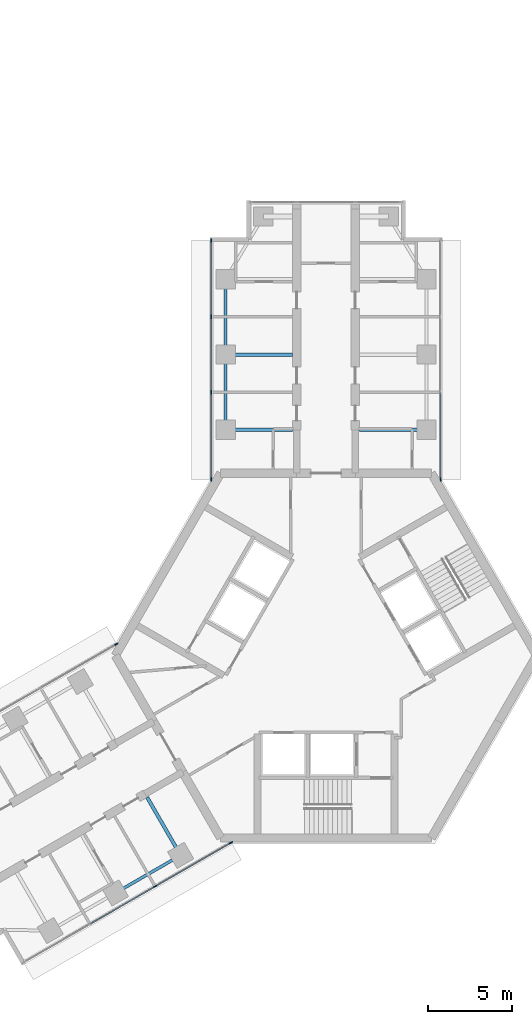
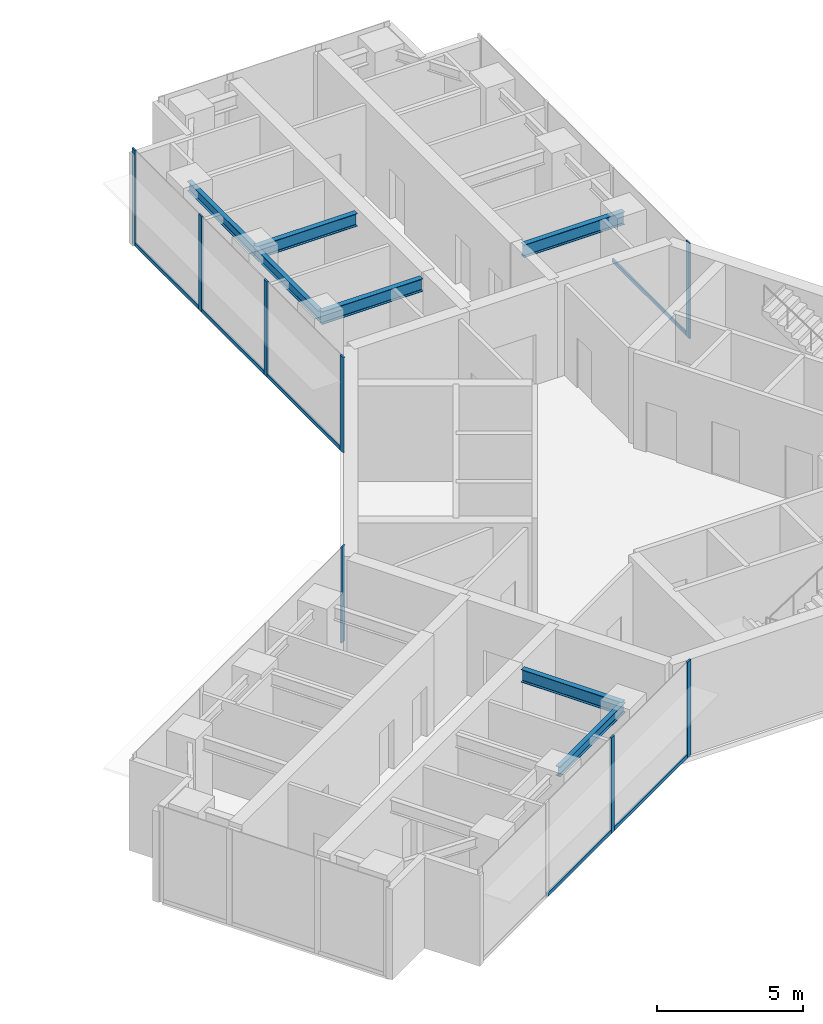
# One storey, part 8 of 17: 14 members, 7 beams, 4 elements without a shape of their own.
"""IFC4 building model written with IfcOpenShell, lengths in metres."""

from ifc_helpers import new_model, si_unit, direction, frame, origin, origin_2d, place, context, subcontext, project, spatial, rectangle, i_section, extrude, material, material_profile, profile_set, type_object, element, aggregate, save


model = new_model("IFC4")

# Units and contexts
model_context = context("Model", 3, precision=1e-05, world=origin(), true_north=direction((0.0, 1.0)))
body_context = subcontext(model_context, "Body", "Model", "MODEL_VIEW")
ifc_project = project(units=[si_unit("LENGTHUNIT", "METRE"), si_unit("AREAUNIT", "SQUARE_METRE"), si_unit("VOLUMEUNIT", "CUBIC_METRE"), si_unit("PLANEANGLEUNIT", "RADIAN"), si_unit("MASSUNIT", "GRAM", prefix="KILO")], contexts=[model_context])

# Site, building, storey
site_placement = place(None, origin())
site = spatial("IfcSite", under=ifc_project, at=site_placement, CompositionType="ELEMENT")
building_placement = place(site_placement, origin())
building = spatial("IfcBuilding", under=site, at=building_placement, Name="Upepo Twin Towers", CompositionType="ELEMENT")
storey_placement = place(building_placement, frame((0.0, 0.0, 206.5)))
storey = spatial("IfcBuildingStorey", under=building, at=storey_placement, Name="L50", CompositionType="ELEMENT", Elevation=206.5)

# Beams
ifc_material_1 = material(Name="Steel S355", Category="steel")
ifc_material_profile_1 = material_profile(ifc_material_1, i_section(OverallWidth=0.177978515625, OverallDepth=0.406494140625, WebThickness=0.0078125, FlangeThickness=0.0126953125, FilletRadius=0.01025390625, at=origin_2d()), Name="UB 406x178x60")
ifc_profile_set_1 = profile_set([ifc_material_profile_1], Name="Steel S355")
beam_type_1 = type_object("IfcBeamType", Name="Beam UB 406x178x60", PredefinedType="BEAM", material=ifc_profile_set_1)
for number, where, z_axis, x_axis, name in (
    (1, (52.5, -4.5, 3.5966796875), (0.0, 1.0, 0.0), (-1.0, 0.0, 0.0), "T2 edge beam AL 13.5-18.0"),
    (2, (52.5, 0.0, 3.5966796875), (0.0, 1.0, 0.0), (-1.0, 0.0, 0.0), "T2 edge beam AL 18.0-22.5"),
):
    element("IfcBeam", number, at=place(storey_placement, frame(where, z_axis=z_axis, x_axis=x_axis)), inside=storey, type_object=beam_type_1, Name=name, PredefinedType="BEAM", context=body_context, shape_type="SweptSolid", body=[
        extrude(i_section(OverallWidth=0.177978515625, OverallDepth=0.406494140625, WebThickness=0.0078125, FlangeThickness=0.0126953125, FilletRadius=0.01025390625, at=origin_2d()), origin(), (0.0, 0.0, 1.0), 4.5),
    ])
beam_placement = place(storey_placement, frame((49.80859375, -29.946044921875, 3.5966796875), z_axis=(-0.866017533419, -0.500013631625, 0.0), x_axis=(0.500013631625, -0.866017533419, 0.0)))
element("IfcBeam", 3, at=beam_placement, inside=storey, type_object=beam_type_1, Name="T2 edge beam BL 13.5-18.0", PredefinedType="BEAM", context=body_context, shape_type="SweptSolid", body=[
    extrude(i_section(OverallWidth=0.177978515625, OverallDepth=0.406494140625, WebThickness=0.0078125, FlangeThickness=0.0126953125, FilletRadius=0.01025390625, at=origin_2d()), origin(), (0.0, 0.0, 1.0), 4.499755859375),
])
ifc_material_2 = material(Name="Steel S355", Category="steel")
ifc_material_profile_2 = material_profile(ifc_material_2, i_section(OverallWidth=0.209228515625, OverallDepth=0.533203125, WebThickness=0.010009765625, FlangeThickness=0.015625, FilletRadius=0.0126953125, at=origin_2d()), Name="UB 533x210x92")
ifc_profile_set_2 = profile_set([ifc_material_profile_2], Name="Steel S355")
beam_type_2 = type_object("IfcBeamType", Name="Beam UB 533x210x92", PredefinedType="BEAM", material=ifc_profile_set_2)
for number, where, z_axis, x_axis, name in (
    (4, (52.5, -4.5, 3.533447265625), (1.0, 0.0, 0.0), (0.0, 1.0, 0.0), "T2 girder AL at 13.5"),
    (5, (52.5, 0.0, 3.533447265625), (1.0, 0.0, 0.0), (0.0, 1.0, 0.0), "T2 girder AL at 18.0"),
    (6, (64.5, -4.5, 3.533447265625), (-1.0, 0.0, 0.0), (0.0, -1.0, 0.0), "T2 girder AR at 13.5"),
    (7, (49.80859375, -29.946044921875, 3.533447265625), (-0.49999894854, 0.866026010844, 0.0), (-0.866026010844, -0.49999894854, 0.0), "T2 girder BL at 13.5"),
):
    element("IfcBeam", number, at=place(storey_placement, frame(where, z_axis=z_axis, x_axis=x_axis)), inside=storey, type_object=beam_type_2, Name=name, PredefinedType="BEAM", context=body_context, shape_type="SweptSolid", body=[
        extrude(i_section(OverallWidth=0.209228515625, OverallDepth=0.533203125, WebThickness=0.010009765625, FlangeThickness=0.015625, FilletRadius=0.0126953125, at=origin_2d()), origin(), (0.0, 0.0, 1.0), 4.0),
    ])

# Curtain wall, members
ifc_material_3 = material(Name="Aluminium and fritted glass", Category="aluminium")
curtain_wall_type = type_object("IfcCurtainWallType", Name="Tower curtain wall TW3, fritted glass", PredefinedType="NOTDEFINED", material=ifc_material_3)
curtain_wall_1_placement = place(storey_placement, origin())
curtain_wall_1 = element("IfcCurtainWall", 8, at=curtain_wall_1_placement, inside=storey, type_object=curtain_wall_type, Name="T2 L50 wing A flank L curtain wall", PredefinedType="NOTDEFINED")
ifc_material_4 = material(Name="Aluminium mullion", Category="aluminium")
ifc_material_profile_3 = material_profile(ifc_material_4, rectangle(XDim=0.06494140625, YDim=0.22509765625, at=origin_2d()), Name="MULLION 65x225")
ifc_profile_set_3 = profile_set([ifc_material_profile_3], Name="Aluminium mullion")
member_type_1 = type_object("IfcMemberType", Name="Mullion 65x225 TW3", PredefinedType="MULLION", material=ifc_profile_set_3)
member_1_placement = place(storey_placement, frame((51.64990234375, -7.48046875, 0.0), z_axis=(0.0, 0.0, 1.0), x_axis=(-1.0, 0.0, 0.0)))
member_1 = element("IfcMember", 9, at=member_1_placement, type_object=member_type_1, Name="T2 L50 wing A flank L curtain wall mullion 1", PredefinedType="MULLION", context=body_context, shape_type="SweptSolid", body=[
    extrude(rectangle(XDim=0.06494140625, YDim=0.22509765625, at=origin_2d()), origin(), (0.0, 0.0, 1.0), 4.0),
])
member_2_placement = place(storey_placement, frame((51.64990234375, -2.25, 0.0), z_axis=(0.0, 0.0, 1.0), x_axis=(-1.0, 0.0, 0.0)))
member_2 = element("IfcMember", 10, at=member_2_placement, type_object=member_type_1, Name="T2 L50 wing A flank L curtain wall mullion 2", PredefinedType="MULLION", context=body_context, shape_type="SweptSolid", body=[
    extrude(rectangle(XDim=0.06494140625, YDim=0.22509765625, at=origin_2d()), origin(), (0.0, 0.0, 1.0), 4.0),
])
member_3_placement = place(storey_placement, frame((51.64990234375, 2.25, 0.0), z_axis=(0.0, 0.0, 1.0), x_axis=(-1.0, 0.0, 0.0)))
member_3 = element("IfcMember", 11, at=member_3_placement, type_object=member_type_1, Name="T2 L50 wing A flank L curtain wall mullion 3", PredefinedType="MULLION", context=body_context, shape_type="SweptSolid", body=[
    extrude(rectangle(XDim=0.06494140625, YDim=0.22509765625, at=origin_2d()), origin(), (0.0, 0.0, 1.0), 4.0),
])
member_4_placement = place(storey_placement, frame((51.64990234375, 6.8173828125, 0.0), z_axis=(0.0, 0.0, 1.0), x_axis=(-1.0, 0.0, 0.0)))
member_4 = element("IfcMember", 12, at=member_4_placement, type_object=member_type_1, Name="T2 L50 wing A flank L curtain wall mullion 4", PredefinedType="MULLION", context=body_context, shape_type="SweptSolid", body=[
    extrude(rectangle(XDim=0.06494140625, YDim=0.22509765625, at=origin_2d()), origin(), (0.0, 0.0, 1.0), 4.0),
])

# Curtain wall, member
curtain_wall_2_placement = place(storey_placement, origin())
curtain_wall_2 = element("IfcCurtainWall", 13, at=curtain_wall_2_placement, inside=storey, type_object=curtain_wall_type, Name="T2 L50 wing A flank R curtain wall", PredefinedType="NOTDEFINED")
member_5_placement = place(storey_placement, frame((65.35009765625, -7.48046875, 0.0), z_axis=(0.0, 0.0, 1.0), x_axis=(1.0, 0.0, 0.0)))
member_5 = element("IfcMember", 14, at=member_5_placement, type_object=member_type_1, Name="T2 L50 wing A flank R curtain wall mullion 4", PredefinedType="MULLION", context=body_context, shape_type="SweptSolid", body=[
    extrude(rectangle(XDim=0.06494140625, YDim=0.22509765625, at=origin_2d()), origin(), (0.0, 0.0, 1.0), 4.0),
])

# Curtain wall, members
curtain_wall_3_placement = place(storey_placement, origin())
curtain_wall_3 = element("IfcCurtainWall", 15, at=curtain_wall_3_placement, inside=storey, type_object=curtain_wall_type, Name="T2 L50 wing B flank L curtain wall", PredefinedType="NOTDEFINED")
member_6_placement = place(storey_placement, frame((52.814697265625, -29.192138671875, 0.0), z_axis=(0.0, 0.0, 1.0), x_axis=(0.500000026527, -0.866025388469, 0.0)))
member_6 = element("IfcMember", 16, at=member_6_placement, type_object=member_type_1, Name="T2 L50 wing B flank L curtain wall mullion 1", PredefinedType="MULLION", context=body_context, shape_type="SweptSolid", body=[
    extrude(rectangle(XDim=0.06494140625, YDim=0.22509765625, at=origin_2d()), origin(), (0.0, 0.0, 1.0), 4.0),
])
member_7_placement = place(storey_placement, frame((48.28515625, -31.807373046875, 0.0), z_axis=(0.0, 0.0, 1.0), x_axis=(0.500000026527, -0.866025388469, 0.0)))
member_7 = element("IfcMember", 17, at=member_7_placement, type_object=member_type_1, Name="T2 L50 wing B flank L curtain wall mullion 2", PredefinedType="MULLION", context=body_context, shape_type="SweptSolid", body=[
    extrude(rectangle(XDim=0.06494140625, YDim=0.22509765625, at=origin_2d()), origin(), (0.0, 0.0, 1.0), 4.0),
])

# Curtain wall, member
curtain_wall_4_placement = place(storey_placement, origin())
curtain_wall_4 = element("IfcCurtainWall", 18, at=curtain_wall_4_placement, inside=storey, type_object=curtain_wall_type, Name="T2 L50 wing B flank R curtain wall", PredefinedType="NOTDEFINED")
member_8_placement = place(storey_placement, frame((45.96484375, -17.32763671875, 0.0), z_axis=(0.0, 0.0, 1.0), x_axis=(-0.500000026527, 0.866025388469, 0.0)))
member_8 = element("IfcMember", 19, at=member_8_placement, type_object=member_type_1, Name="T2 L50 wing B flank R curtain wall mullion 4", PredefinedType="MULLION", context=body_context, shape_type="SweptSolid", body=[
    extrude(rectangle(XDim=0.06494140625, YDim=0.22509765625, at=origin_2d()), origin(), (0.0, 0.0, 1.0), 4.0),
])
aggregate(curtain_wall_4, [member_8])

# Member
ifc_material_5 = material(Name="Aluminium transom", Category="aluminium")
ifc_material_profile_4 = material_profile(ifc_material_5, rectangle(XDim=0.06494140625, YDim=0.14990234375, at=origin_2d()), Name="TRANSOM 65x150")
ifc_profile_set_4 = profile_set([ifc_material_profile_4], Name="Aluminium transom")
member_type_2 = type_object("IfcMemberType", Name="Transom 65x150 TW3", PredefinedType="USERDEFINED", material=ifc_profile_set_4)
member_9_placement = place(storey_placement, frame((51.64990234375, -7.447998046875, 0.074951171875), z_axis=(0.0, 1.0, 0.0), x_axis=(-1.0, 0.0, 0.0)))
member_9 = element("IfcMember", 20, at=member_9_placement, type_object=member_type_2, Name="T2 L50 wing A flank L curtain wall transom 1", ObjectType="TRANSOM", PredefinedType="USERDEFINED", context=body_context, shape_type="SweptSolid", body=[
    extrude(rectangle(XDim=0.06494140625, YDim=0.14990234375, at=origin_2d()), origin(), (0.0, 0.0, 1.0), 5.16552734375),
])

member_10_placement = place(storey_placement, frame((51.64990234375, -2.217529296875, 0.074951171875), z_axis=(0.0, 1.0, 0.0), x_axis=(-1.0, 0.0, 0.0)))
member_10 = element("IfcMember", 21, at=member_10_placement, type_object=member_type_2, Name="T2 L50 wing A flank L curtain wall transom 2", ObjectType="TRANSOM", PredefinedType="USERDEFINED", context=body_context, shape_type="SweptSolid", body=[
    extrude(rectangle(XDim=0.06494140625, YDim=0.14990234375, at=origin_2d()), origin(), (0.0, 0.0, 1.0), 4.43505859375),
])

member_11_placement = place(storey_placement, frame((51.64990234375, 2.282470703125, 0.074951171875), z_axis=(0.0, 1.0, 0.0), x_axis=(-1.0, 0.0, 0.0)))
member_11 = element("IfcMember", 22, at=member_11_placement, type_object=member_type_2, Name="T2 L50 wing A flank L curtain wall transom 3", ObjectType="TRANSOM", PredefinedType="USERDEFINED", context=body_context, shape_type="SweptSolid", body=[
    extrude(rectangle(XDim=0.06494140625, YDim=0.14990234375, at=origin_2d()), origin(), (0.0, 0.0, 1.0), 4.50244140625),
])

aggregate(curtain_wall_1, [member_1, member_2, member_3, member_4, member_9, member_10, member_11])

member_12_placement = place(storey_placement, frame((65.35009765625, -2.282470703125, 0.074951171875), z_axis=(0.0, -1.0, 0.0), x_axis=(1.0, 0.0, 0.0)))
member_12 = element("IfcMember", 23, at=member_12_placement, type_object=member_type_2, Name="T2 L50 wing A flank R curtain wall transom 3", ObjectType="TRANSOM", PredefinedType="USERDEFINED", context=body_context, shape_type="SweptSolid", body=[
    extrude(rectangle(XDim=0.06494140625, YDim=0.14990234375, at=origin_2d()), origin(), (0.0, 0.0, 1.0), 5.16552734375),
])

aggregate(curtain_wall_2, [member_5, member_12])

member_13_placement = place(storey_placement, frame((52.78662109375, -29.208251953125, 0.074951171875), z_axis=(-0.86602108507, -0.500007480159, 0.0), x_axis=(0.500007480159, -0.86602108507, 0.0)))
member_13 = element("IfcMember", 24, at=member_13_placement, type_object=member_type_2, Name="T2 L50 wing B flank L curtain wall transom 1", ObjectType="TRANSOM", PredefinedType="USERDEFINED", context=body_context, shape_type="SweptSolid", body=[
    extrude(rectangle(XDim=0.06494140625, YDim=0.14990234375, at=origin_2d()), origin(), (0.0, 0.0, 1.0), 5.16552734375),
])

member_14_placement = place(storey_placement, frame((48.2568359375, -31.823486328125, 0.074951171875), z_axis=(-0.866022410713, -0.500005184116, 0.0), x_axis=(0.500005184116, -0.866022410713, 0.0)))
member_14 = element("IfcMember", 25, at=member_14_placement, type_object=member_type_2, Name="T2 L50 wing B flank L curtain wall transom 2", ObjectType="TRANSOM", PredefinedType="USERDEFINED", context=body_context, shape_type="SweptSolid", body=[
    extrude(rectangle(XDim=0.06494140625, YDim=0.14990234375, at=origin_2d()), origin(), (0.0, 0.0, 1.0), 4.43505859375),
])

aggregate(curtain_wall_3, [member_6, member_7, member_13, member_14])

save(model, "model.ifc")
